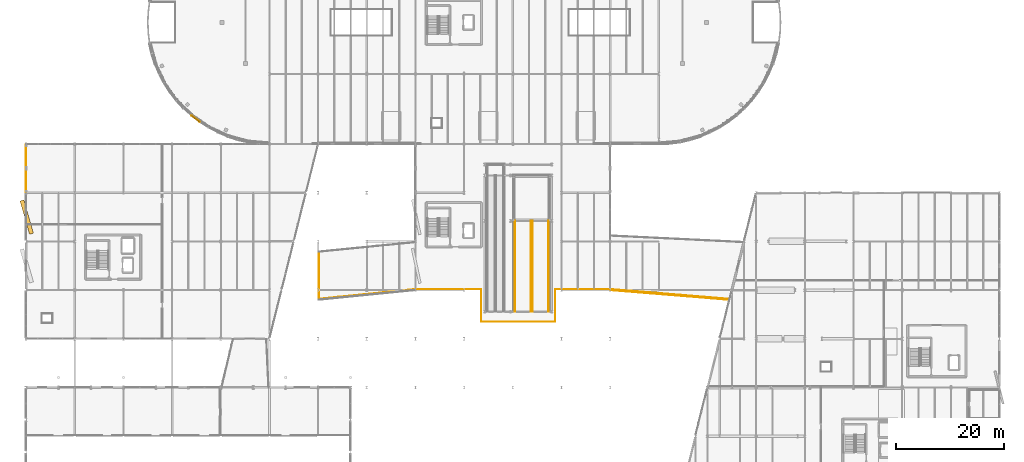
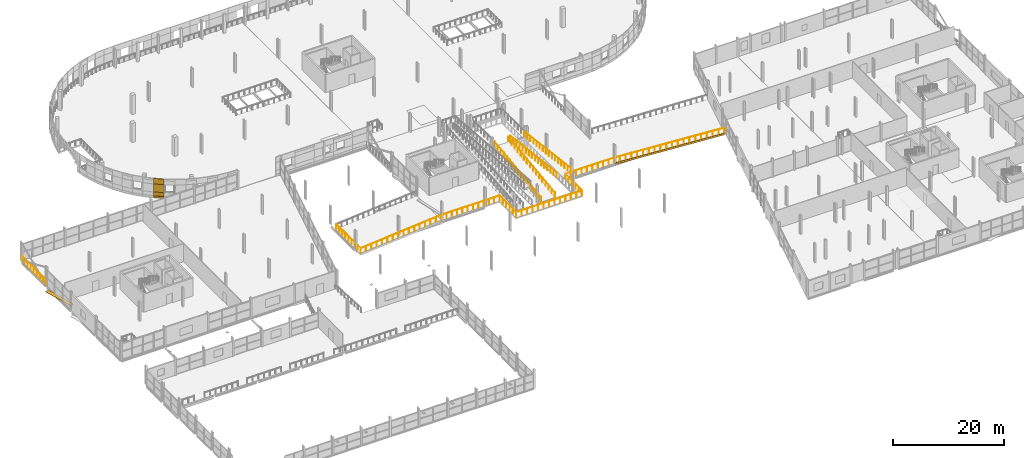
# One storey, part 121 of 135: 6 railings, 5 coverings, 1 shading device.
"""IFC4 building model written with IfcOpenShell, lengths in metres."""

import ifcopenshell
import ifcopenshell.guid

model = None  # the IFC model being written
_history = None  # IfcOwnerHistory: only IFC2X3 demands one
_inside = {}  # id of a spatial element -> (the spatial element, [elements in it])
_under = {}  # id of a project, library or spatial element -> (it, [spatial elements below it])
_declared = {}  # id of a project -> (the project, [libraries it declares])
_typed = {}  # id of a type object -> (the type object, [elements of that type])
_made_of = {}  # id of a material, layer set ... -> (it, [elements and type objects made of it])


def new_model(schema):
    """Start an empty IFC model of exactly this schema.

    Asked for "IFC4X3", IfcOpenShell would pick the latest addendum, in which some entities
    have other attributes; the version numbers below select the first issue.
    IFC2X3 requires an IfcOwnerHistory on every rooted entity: one is made here for all.
    """
    global model, _history
    if schema == "IFC4X3":
        model = ifcopenshell.file(schema_version=(4, 3, 0, 0))
    else:
        model = ifcopenshell.file(schema=schema)
    _inside.clear()
    _under.clear()
    _declared.clear()
    _typed.clear()
    _made_of.clear()
    _history = None
    if model.schema == "IFC2X3":
        org = make("IfcOrganization", Name="unknown")
        user = make(
            "IfcPersonAndOrganization",
            ThePerson=make("IfcPerson", FamilyName="unknown"),
            TheOrganization=org,
        )
        app = make(
            "IfcApplication",
            ApplicationDeveloper=org,
            Version="unknown",
            ApplicationFullName="unknown",
            ApplicationIdentifier="unknown",
        )
        _history = make(
            "IfcOwnerHistory",
            OwningUser=user,
            OwningApplication=app,
            ChangeAction="ADDED",
            CreationDate=0,
        )
    return model


def make(cls, **values):
    """One entity of the class cls with the attributes given. An attribute that is None is left unset."""
    return model.create_entity(
        cls, **{name: value for name, value in values.items() if value is not None}
    )


def rooted(cls, **values):
    """An entity with a GlobalId (a new one), such as an element, a storey or a relation."""
    return make(cls, GlobalId=ifcopenshell.guid.new(), OwnerHistory=_history, **values)


def si_unit(unit_type, name, prefix=None):
    """IfcSIUnit, for example si_unit("LENGTHUNIT", "METRE", prefix="MILLI")."""
    return make("IfcSIUnit", UnitType=unit_type, Prefix=prefix, Name=name)


def assignment(units):
    """IfcUnitAssignment: the units of a project."""
    return None if units is None else make("IfcUnitAssignment", Units=units)


def point(xyz):
    """IfcCartesianPoint."""
    return None if xyz is None else make("IfcCartesianPoint", Coordinates=xyz)


def direction(xyz):
    """IfcDirection."""
    return None if xyz is None else make("IfcDirection", DirectionRatios=xyz)


def frame(location, z_axis=None, x_axis=None):
    """IfcAxis2Placement3D, a coordinate frame: its origin and axes. An axis left out is left unset."""
    return make(
        "IfcAxis2Placement3D",
        Location=point(location),
        Axis=direction(z_axis),
        RefDirection=direction(x_axis),
    )


def frame_2d(location, x_axis=None):
    """IfcAxis2Placement2D, a coordinate frame in the plane: its origin and x axis."""
    return make(
        "IfcAxis2Placement2D", Location=point(location), RefDirection=direction(x_axis)
    )


def origin():
    """The frame at (0, 0, 0) with its axes left unset."""
    return frame((0.0, 0.0, 0.0))


def origin_2d():
    """The frame at (0, 0) in the plane with its x axis left unset."""
    return frame_2d((0.0, 0.0))


def place(relative_to, where):
    """IfcLocalPlacement: puts the frame where relative to a parent placement (None: the world)."""
    return make(
        "IfcLocalPlacement", PlacementRelTo=relative_to, RelativePlacement=where
    )


def context(
    kind, dimensions, precision=None, world=None, true_north=None, identifier=None
):
    """IfcGeometricRepresentationContext, for example the 3D "Model" context."""
    return make(
        "IfcGeometricRepresentationContext",
        ContextIdentifier=identifier,
        ContextType=kind,
        CoordinateSpaceDimension=dimensions,
        Precision=precision,
        WorldCoordinateSystem=world,
        TrueNorth=true_north,
    )


def subcontext(parent, identifier, kind, view, scale=None):
    """IfcGeometricRepresentationSubContext, for example "Body" below "Model"."""
    return make(
        "IfcGeometricRepresentationSubContext",
        ContextIdentifier=identifier,
        ContextType=kind,
        ParentContext=parent,
        TargetScale=scale,
        TargetView=view,
    )


def project(units=None, contexts=None):
    """IfcProject with its units and contexts."""
    return rooted(
        "IfcProject",
        Name="project",
        RepresentationContexts=contexts,
        UnitsInContext=assignment(units),
    )


def spatial(cls, under=None, at=None, **own):
    """A site, building, storey or space (cls), placed at a placement, below another one or the project."""
    s = rooted(cls, ObjectPlacement=at, **own)
    if under is not None:
        _under.setdefault(under.id(), (under, []))[1].append(s)
    return s


def profile(cls, at=None, kind="AREA", **sizes):
    """A parametric profile (cls). Its sizes go by their IFC names, for example OverallWidth=200.0."""
    return make(cls, ProfileType=kind, Position=at, **sizes)


def rectangle(**sizes):
    """IfcRectangleProfileDef."""
    return profile("IfcRectangleProfileDef", **sizes)


def circle(**sizes):
    """IfcCircleProfileDef."""
    return profile("IfcCircleProfileDef", **sizes)


def extrude(swept, where, along, depth):
    """IfcExtrudedAreaSolid: the profile swept, set in the frame where, extruded along a direction by depth."""
    return make(
        "IfcExtrudedAreaSolid",
        SweptArea=swept,
        Position=where,
        ExtrudedDirection=direction(along),
        Depth=depth,
    )


def shape(context_of_items, identifier, shape_type, items):
    """IfcShapeRepresentation: the items that make up one representation, for example the "Body"."""
    return make(
        "IfcShapeRepresentation",
        ContextOfItems=context_of_items,
        RepresentationIdentifier=identifier,
        RepresentationType=shape_type,
        Items=items,
    )


def material(Name=None, Category=None):
    """IfcMaterial."""
    return make("IfcMaterial", Name=Name, Category=Category)


def layer(
    of_material, thickness, ventilated=None, Name=None, Category=None, Priority=None
):
    """IfcMaterialLayer: one layer of a wall or slab, of a material (None: an air gap)."""
    return make(
        "IfcMaterialLayer",
        Material=of_material,
        LayerThickness=thickness,
        IsVentilated=ventilated,
        Name=Name,
        Category=Category,
        Priority=Priority,
    )


def layer_set(layers, Name=None):
    """IfcMaterialLayerSet."""
    return make("IfcMaterialLayerSet", MaterialLayers=layers, LayerSetName=Name)


def made_of(thing, what):
    """Note that an element or type object is made of a material, layer set ...; save() writes the relation."""
    if what is not None:
        _made_of.setdefault(what.id(), (what, []))[1].append(thing)
    return thing


def type_object(cls, material=None, **own):
    """A type object (cls), such as IfcWallType, which elements share."""
    return made_of(rooted(cls, **own), material)


def element(
    cls,
    number,
    at=None,
    inside=None,
    cuts=None,
    type_object=None,
    material=None,
    context=None,
    identifier="Body",
    shape_type=None,
    held_by="IfcProductDefinitionShape",
    body=None,
    shapes=None,
    **own,
):
    """One element of the class cls, such as IfcWall. Its Tag is "e" and its number.

    at: its placement. inside: the storey or other place that contains it. cuts: it is an
    opening in that element (IfcRelVoidsElement). A single representation is given by context,
    identifier, shape_type and body (its items); several are given by shapes. held_by: the class
    of the entity that holds the representations. save() writes the other relations.
    """
    e = rooted(cls, Tag="e%d" % number, ObjectPlacement=at, **own)
    if body is not None:
        shapes = [shape(context, identifier, shape_type, body)]
    if shapes is not None:
        e.Representation = make(held_by, Representations=shapes)
    if inside is not None:
        _inside.setdefault(inside.id(), (inside, []))[1].append(e)
    if cuts is not None:
        rooted(
            "IfcRelVoidsElement", RelatingBuildingElement=cuts, RelatedOpeningElement=e
        )
    if type_object is not None:
        _typed.setdefault(type_object.id(), (type_object, []))[1].append(e)
    return made_of(e, material)


def aggregate(whole, parts):
    """IfcRelAggregates: a whole, such as a stair, and the parts it consists of."""
    return rooted("IfcRelAggregates", RelatingObject=whole, RelatedObjects=parts)


def save(model, path):
    """Write the relations noted so far, then the file.

    IfcRelAggregates (storeys below a building ...), IfcRelContainedInSpatialStructure (elements
    in a storey), IfcRelDefinesByType, IfcRelAssociatesMaterial and IfcRelDeclares: one each for
    every whole, place, type object, material and project.
    """
    for whole, parts in _under.values():
        aggregate(whole, parts)
    for where, things in _inside.values():
        rooted(
            "IfcRelContainedInSpatialStructure",
            RelatedElements=things,
            RelatingStructure=where,
        )
    for kind, things in _typed.values():
        rooted("IfcRelDefinesByType", RelatedObjects=things, RelatingType=kind)
    for what, things in _made_of.values():
        rooted("IfcRelAssociatesMaterial", RelatedObjects=things, RelatingMaterial=what)
    for by, libraries in _declared.values():
        rooted("IfcRelDeclares", RelatingContext=by, RelatedDefinitions=libraries)
    model.write(path)


model = new_model("IFC4")

# Units and contexts
model_context = context("Model", 3, precision=1e-05, world=origin(), true_north=direction((0.0, 1.0)))
body_context = subcontext(model_context, "Body", "Model", "MODEL_VIEW")
ifc_project = project(units=[si_unit("LENGTHUNIT", "METRE"), si_unit("AREAUNIT", "SQUARE_METRE"), si_unit("VOLUMEUNIT", "CUBIC_METRE"), si_unit("PLANEANGLEUNIT", "RADIAN"), si_unit("MASSUNIT", "GRAM", prefix="KILO")], contexts=[model_context])

# Site, building, storey
site_placement = place(None, origin())
site = spatial("IfcSite", under=ifc_project, at=site_placement, CompositionType="ELEMENT")
building_placement = place(site_placement, origin())
building = spatial("IfcBuilding", under=site, at=building_placement, Name="Deido Ridge Mobility Hub", CompositionType="ELEMENT")
storey_placement = place(building_placement, frame((0.0, 0.0, 4.199951171875)))
storey = spatial("IfcBuildingStorey", under=building, at=storey_placement, Name="L01", CompositionType="ELEMENT", Elevation=4.199951171875)

# Coverings
ifc_material_1 = material(Name="Powder-coated aluminium cladding EN AW-3003", Category="aluminium")
ifc_layer_1 = layer(ifc_material_1, 0.06494140625, Name="Powder-coated aluminium cladding EN AW-3003")
ifc_layer_set_1 = layer_set([ifc_layer_1], Name="Powder-coated aluminium cladding EN AW-3003")
covering_type_1 = type_object("IfcCoveringType", Name="COV-ALU-CLAD-65", PredefinedType="CLADDING", material=ifc_layer_set_1)
covering_1_placement = place(storey_placement, frame((119.0, 53.10009765625, -0.329833984375), z_axis=(0.0, 0.0, 1.0), x_axis=(0.996680153102, -0.081416659306, 0.0)))
element("IfcCovering", 1, at=covering_1_placement, inside=storey, type_object=covering_type_1, Name="Skewed skybridge east fascia shard AC1", PredefinedType="CLADDING", context=body_context, shape_type="SweptSolid", body=[
    extrude(rectangle(XDim=21.800048828125, YDim=0.06494140625, at=origin_2d()), origin(), (0.0, 0.0, 1.0), 0.419921875),
])
ifc_material_2 = material(Name="Fired clay brick masonry", Category="masonry")
ifc_layer_2 = layer(ifc_material_2, 0.114990234375, Name="Fired clay brick masonry")
ifc_layer_set_2 = layer_set([ifc_layer_2], Name="Fired clay brick masonry")
covering_type_2 = type_object("IfcCoveringType", Name="COV-BRK-SCREEN-115", PredefinedType="CLADDING", material=ifc_layer_set_2)
covering_2_placement = place(storey_placement, frame((31.347900390625, 85.7080078125, 0.0), z_axis=(0.0, 0.0, 1.0), x_axis=(0.793353340291, -0.608761429009, 0.0)))
element("IfcCovering", 2, at=covering_2_placement, inside=storey, type_object=covering_type_2, Name="Open brickwork spandrel course BKS1 (L01)", PredefinedType="CLADDING", context=body_context, shape_type="SweptSolid", body=[
    extrude(rectangle(XDim=1.9619140625, YDim=0.125, at=origin_2d()), origin(), (0.0, 0.0, 1.0), 1.25),
])
covering_3_placement = place(storey_placement, frame((31.3310546875, 85.686279296875, 0.0), z_axis=(0.0, 0.0, 1.0), x_axis=(0.793353340291, -0.608761429009, 0.0)))
element("IfcCovering", 3, at=covering_3_placement, inside=storey, type_object=covering_type_2, Name="Raised brick relief belt BKS1 (L01)", PredefinedType="CLADDING", context=body_context, shape_type="SweptSolid", body=[
    extrude(rectangle(XDim=1.9619140625, YDim=0.179931640625, at=origin_2d()), origin(), (0.0, 0.0, 1.0), 0.39990234375),
])
covering_4_placement = place(storey_placement, frame((31.347900390625, 85.7080078125, 3.0), z_axis=(0.0, 0.0, 1.0), x_axis=(0.793353340291, -0.608761429009, 0.0)))
element("IfcCovering", 4, at=covering_4_placement, inside=storey, type_object=covering_type_2, Name="Open brickwork lintel course BKS1 (L01)", PredefinedType="CLADDING", context=body_context, shape_type="SweptSolid", body=[
    extrude(rectangle(XDim=1.9619140625, YDim=0.125, at=origin_2d()), origin(), (0.0, 0.0, 1.0), 1.199951171875),
])
covering_5_placement = place(storey_placement, frame((31.347900390625, 85.7080078125, 1.25), z_axis=(0.0, 0.0, 1.0), x_axis=(0.793353340291, -0.608761429009, 0.0)))
element("IfcCovering", 5, at=covering_5_placement, inside=storey, type_object=covering_type_2, Name="Curved raised brickwork pier BKS1 (L01)", PredefinedType="CLADDING", context=body_context, shape_type="SweptSolid", body=[
    extrude(rectangle(XDim=1.9619140625, YDim=0.125, at=origin_2d()), origin(), (0.0, 0.0, 1.0), 1.75),
])

# Railings
ifc_material_3 = material(Name="Galvanised steel work", Category="steel")
railing_type = type_object("IfcRailingType", Name="RL-GRD-EXT-1150", PredefinedType="GUARDRAIL", material=ifc_material_3)
railing_1_placement = place(storey_placement, frame((54.14990234375, 61.050048828125, 0.0)))
element("IfcRailing", 6, at=railing_1_placement, inside=storey, type_object=railing_type, Name="Skybridge skewed south edge guard GR1", PredefinedType="GUARDRAIL", context=body_context, shape_type="SweptSolid", body=[
    extrude(circle(Radius=0.02392578125, at=origin_2d()), frame((0.0, 0.0, 1.1259765625), z_axis=(0.0, -1.0, 0.0), x_axis=(1.0, 0.0, 0.0)), (0.0, 0.0, 1.0), 8.699951171875),
    extrude(circle(Radius=0.02392578125, at=origin_2d()), frame((0.0, -8.699951171875, 1.1259765625), z_axis=(0.994955205582, 0.100320181847, 0.0), x_axis=(-0.100320181847, 0.994955205582, 0.0)), (0.0, 0.0, 1.0), 17.940673828125),
    extrude(circle(Radius=0.02392578125, at=origin_2d()), frame((17.85009765625, -6.900146484375, 1.1259765625), z_axis=(1.0, 0.0, 0.0), x_axis=(0.0, 1.0, 0.0)), (0.0, 0.0, 1.0), 12.14990234375),
    extrude(circle(Radius=0.02392578125, at=origin_2d()), frame((30.0, -6.900146484375, 1.1259765625), z_axis=(0.0, -1.0, 0.0), x_axis=(1.0, 0.0, 0.0)), (0.0, 0.0, 1.0), 6.0),
    extrude(circle(Radius=0.02392578125, at=origin_2d()), frame((30.0, -12.900146484375, 1.1259765625), z_axis=(1.0, 0.0, 0.0), x_axis=(0.0, 1.0, 0.0)), (0.0, 0.0, 1.0), 13.7001953125),
    extrude(circle(Radius=0.02392578125, at=origin_2d()), frame((43.7001953125, -12.900146484375, 1.1259765625), z_axis=(0.0, 1.0, 0.0), x_axis=(-1.0, 0.0, 0.0)), (0.0, 0.0, 1.0), 6.0),
    extrude(circle(Radius=0.02392578125, at=origin_2d()), frame((43.7001953125, -6.900146484375, 1.1259765625), z_axis=(1.0, 0.0, 0.0), x_axis=(0.0, 1.0, 0.0)), (0.0, 0.0, 1.0), 10.14990234375),
    extrude(circle(Radius=0.02392578125, at=origin_2d()), frame((53.85009765625, -6.900146484375, 1.1259765625), z_axis=(0.996655197807, -0.08172158028, 0.0), x_axis=(0.08172158028, 0.996655197807, 0.0)), (0.0, 0.0, 1.0), 22.023681640625),
    extrude(circle(Radius=0.02099609375, at=origin_2d()), origin(), (0.0, 0.0, 1.0), 1.101806640625),
    extrude(circle(Radius=0.02099609375, at=origin_2d()), frame((0.0, -1.08740234375, 0.0)), (0.0, 0.0, 1.0), 1.101806640625),
    extrude(circle(Radius=0.02099609375, at=origin_2d()), frame((0.0, -2.175048828125, 0.0)), (0.0, 0.0, 1.0), 1.101806640625),
    extrude(circle(Radius=0.02099609375, at=origin_2d()), frame((0.0, -3.262451171875, 0.0)), (0.0, 0.0, 1.0), 1.101806640625),
    extrude(circle(Radius=0.02099609375, at=origin_2d()), frame((0.0, -4.35009765625, 0.0)), (0.0, 0.0, 1.0), 1.101806640625),
    extrude(circle(Radius=0.02099609375, at=origin_2d()), frame((0.0, -5.4375, 0.0)), (0.0, 0.0, 1.0), 1.101806640625),
    extrude(circle(Radius=0.02099609375, at=origin_2d()), frame((0.0, -6.52490234375, 0.0)), (0.0, 0.0, 1.0), 1.101806640625),
    extrude(circle(Radius=0.02099609375, at=origin_2d()), frame((0.0, -7.612548828125, 0.0)), (0.0, 0.0, 1.0), 1.101806640625),
    extrude(circle(Radius=0.02099609375, at=origin_2d()), frame((0.0, -8.699951171875, 0.0)), (0.0, 0.0, 1.0), 1.101806640625),
    extrude(circle(Radius=0.02099609375, at=origin_2d()), frame((1.18994140625, -8.580078125, 0.0)), (0.0, 0.0, 1.0), 1.101806640625),
    extrude(circle(Radius=0.02099609375, at=origin_2d()), frame((2.380126953125, -8.4599609375, 0.0)), (0.0, 0.0, 1.0), 1.101806640625),
    extrude(circle(Radius=0.02099609375, at=origin_2d()), frame((3.570068359375, -8.340087890625, 0.0)), (0.0, 0.0, 1.0), 1.101806640625),
    extrude(circle(Radius=0.02099609375, at=origin_2d()), frame((4.760009765625, -8.219970703125, 0.0)), (0.0, 0.0, 1.0), 1.101806640625),
    extrude(circle(Radius=0.02099609375, at=origin_2d()), frame((5.949951171875, -8.10009765625, 0.0)), (0.0, 0.0, 1.0), 1.101806640625),
    extrude(circle(Radius=0.02099609375, at=origin_2d()), frame((7.14013671875, -7.97998046875, 0.0)), (0.0, 0.0, 1.0), 1.101806640625),
    extrude(circle(Radius=0.02099609375, at=origin_2d()), frame((8.330078125, -7.860107421875, 0.0)), (0.0, 0.0, 1.0), 1.101806640625),
    extrude(circle(Radius=0.02099609375, at=origin_2d()), frame((9.52001953125, -7.739990234375, 0.0)), (0.0, 0.0, 1.0), 1.101806640625),
    extrude(circle(Radius=0.02099609375, at=origin_2d()), frame((10.7099609375, -7.6201171875, 0.0)), (0.0, 0.0, 1.0), 1.101806640625),
    extrude(circle(Radius=0.02099609375, at=origin_2d()), frame((11.900146484375, -7.5, 0.0)), (0.0, 0.0, 1.0), 1.101806640625),
    extrude(circle(Radius=0.02099609375, at=origin_2d()), frame((13.090087890625, -7.380126953125, 0.0)), (0.0, 0.0, 1.0), 1.101806640625),
    extrude(circle(Radius=0.02099609375, at=origin_2d()), frame((14.280029296875, -7.260009765625, 0.0)), (0.0, 0.0, 1.0), 1.101806640625),
    extrude(circle(Radius=0.02099609375, at=origin_2d()), frame((15.469970703125, -7.14013671875, 0.0)), (0.0, 0.0, 1.0), 1.101806640625),
    extrude(circle(Radius=0.02099609375, at=origin_2d()), frame((16.66015625, -7.02001953125, 0.0)), (0.0, 0.0, 1.0), 1.101806640625),
    extrude(circle(Radius=0.02099609375, at=origin_2d()), frame((17.85009765625, -6.900146484375, 0.0)), (0.0, 0.0, 1.0), 1.101806640625),
    extrude(circle(Radius=0.02099609375, at=origin_2d()), frame((18.95458984375, -6.900146484375, 0.0)), (0.0, 0.0, 1.0), 1.101806640625),
    extrude(circle(Radius=0.02099609375, at=origin_2d()), frame((20.05908203125, -6.900146484375, 0.0)), (0.0, 0.0, 1.0), 1.101806640625),
    extrude(circle(Radius=0.02099609375, at=origin_2d()), frame((21.163818359375, -6.900146484375, 0.0)), (0.0, 0.0, 1.0), 1.101806640625),
    extrude(circle(Radius=0.02099609375, at=origin_2d()), frame((22.268310546875, -6.900146484375, 0.0)), (0.0, 0.0, 1.0), 1.101806640625),
    extrude(circle(Radius=0.02099609375, at=origin_2d()), frame((23.372802734375, -6.900146484375, 0.0)), (0.0, 0.0, 1.0), 1.101806640625),
    extrude(circle(Radius=0.02099609375, at=origin_2d()), frame((24.477294921875, -6.900146484375, 0.0)), (0.0, 0.0, 1.0), 1.101806640625),
    extrude(circle(Radius=0.02099609375, at=origin_2d()), frame((25.581787109375, -6.900146484375, 0.0)), (0.0, 0.0, 1.0), 1.101806640625),
    extrude(circle(Radius=0.02099609375, at=origin_2d()), frame((26.686279296875, -6.900146484375, 0.0)), (0.0, 0.0, 1.0), 1.101806640625),
    extrude(circle(Radius=0.02099609375, at=origin_2d()), frame((27.791015625, -6.900146484375, 0.0)), (0.0, 0.0, 1.0), 1.101806640625),
    extrude(circle(Radius=0.02099609375, at=origin_2d()), frame((28.8955078125, -6.900146484375, 0.0)), (0.0, 0.0, 1.0), 1.101806640625),
    extrude(circle(Radius=0.02099609375, at=origin_2d()), frame((30.0, -6.900146484375, 0.0)), (0.0, 0.0, 1.0), 1.101806640625),
    extrude(circle(Radius=0.02099609375, at=origin_2d()), frame((30.0, -8.10009765625, 0.0)), (0.0, 0.0, 1.0), 1.101806640625),
    extrude(circle(Radius=0.02099609375, at=origin_2d()), frame((30.0, -9.300048828125, 0.0)), (0.0, 0.0, 1.0), 1.101806640625),
    extrude(circle(Radius=0.02099609375, at=origin_2d()), frame((30.0, -10.500244140625, 0.0)), (0.0, 0.0, 1.0), 1.101806640625),
    extrude(circle(Radius=0.02099609375, at=origin_2d()), frame((30.0, -11.7001953125, 0.0)), (0.0, 0.0, 1.0), 1.101806640625),
    extrude(circle(Radius=0.02099609375, at=origin_2d()), frame((30.0, -12.900146484375, 0.0)), (0.0, 0.0, 1.0), 1.101806640625),
    extrude(circle(Radius=0.02099609375, at=origin_2d()), frame((31.1416015625, -12.900146484375, 0.0)), (0.0, 0.0, 1.0), 1.101806640625),
    extrude(circle(Radius=0.02099609375, at=origin_2d()), frame((32.283447265625, -12.900146484375, 0.0)), (0.0, 0.0, 1.0), 1.101806640625),
    extrude(circle(Radius=0.02099609375, at=origin_2d()), frame((33.425048828125, -12.900146484375, 0.0)), (0.0, 0.0, 1.0), 1.101806640625),
    extrude(circle(Radius=0.02099609375, at=origin_2d()), frame((34.566650390625, -12.900146484375, 0.0)), (0.0, 0.0, 1.0), 1.101806640625),
    extrude(circle(Radius=0.02099609375, at=origin_2d()), frame((35.70849609375, -12.900146484375, 0.0)), (0.0, 0.0, 1.0), 1.101806640625),
    extrude(circle(Radius=0.02099609375, at=origin_2d()), frame((36.85009765625, -12.900146484375, 0.0)), (0.0, 0.0, 1.0), 1.101806640625),
    extrude(circle(Radius=0.02099609375, at=origin_2d()), frame((37.99169921875, -12.900146484375, 0.0)), (0.0, 0.0, 1.0), 1.101806640625),
    extrude(circle(Radius=0.02099609375, at=origin_2d()), frame((39.133544921875, -12.900146484375, 0.0)), (0.0, 0.0, 1.0), 1.101806640625),
    extrude(circle(Radius=0.02099609375, at=origin_2d()), frame((40.275146484375, -12.900146484375, 0.0)), (0.0, 0.0, 1.0), 1.101806640625),
    extrude(circle(Radius=0.02099609375, at=origin_2d()), frame((41.416748046875, -12.900146484375, 0.0)), (0.0, 0.0, 1.0), 1.101806640625),
    extrude(circle(Radius=0.02099609375, at=origin_2d()), frame((42.55859375, -12.900146484375, 0.0)), (0.0, 0.0, 1.0), 1.101806640625),
    extrude(circle(Radius=0.02099609375, at=origin_2d()), frame((43.7001953125, -12.900146484375, 0.0)), (0.0, 0.0, 1.0), 1.101806640625),
    extrude(circle(Radius=0.02099609375, at=origin_2d()), frame((43.7001953125, -11.7001953125, 0.0)), (0.0, 0.0, 1.0), 1.101806640625),
    extrude(circle(Radius=0.02099609375, at=origin_2d()), frame((43.7001953125, -10.500244140625, 0.0)), (0.0, 0.0, 1.0), 1.101806640625),
    extrude(circle(Radius=0.02099609375, at=origin_2d()), frame((43.7001953125, -9.300048828125, 0.0)), (0.0, 0.0, 1.0), 1.101806640625),
    extrude(circle(Radius=0.02099609375, at=origin_2d()), frame((43.7001953125, -8.10009765625, 0.0)), (0.0, 0.0, 1.0), 1.101806640625),
    extrude(circle(Radius=0.02099609375, at=origin_2d()), frame((43.7001953125, -6.900146484375, 0.0)), (0.0, 0.0, 1.0), 1.101806640625),
    extrude(circle(Radius=0.02099609375, at=origin_2d()), frame((44.827880859375, -6.900146484375, 0.0)), (0.0, 0.0, 1.0), 1.101806640625),
    extrude(circle(Radius=0.02099609375, at=origin_2d()), frame((45.955810546875, -6.900146484375, 0.0)), (0.0, 0.0, 1.0), 1.101806640625),
    extrude(circle(Radius=0.02099609375, at=origin_2d()), frame((47.08349609375, -6.900146484375, 0.0)), (0.0, 0.0, 1.0), 1.101806640625),
    extrude(circle(Radius=0.02099609375, at=origin_2d()), frame((48.211181640625, -6.900146484375, 0.0)), (0.0, 0.0, 1.0), 1.101806640625),
    extrude(circle(Radius=0.02099609375, at=origin_2d()), frame((49.339111328125, -6.900146484375, 0.0)), (0.0, 0.0, 1.0), 1.101806640625),
    extrude(circle(Radius=0.02099609375, at=origin_2d()), frame((50.466796875, -6.900146484375, 0.0)), (0.0, 0.0, 1.0), 1.101806640625),
    extrude(circle(Radius=0.02099609375, at=origin_2d()), frame((51.594482421875, -6.900146484375, 0.0)), (0.0, 0.0, 1.0), 1.101806640625),
    extrude(circle(Radius=0.02099609375, at=origin_2d()), frame((52.722412109375, -6.900146484375, 0.0)), (0.0, 0.0, 1.0), 1.101806640625),
    extrude(circle(Radius=0.02099609375, at=origin_2d()), frame((53.85009765625, -6.900146484375, 0.0)), (0.0, 0.0, 1.0), 1.101806640625),
    extrude(circle(Radius=0.02099609375, at=origin_2d()), frame((55.00537109375, -6.994873046875, 0.0)), (0.0, 0.0, 1.0), 1.101806640625),
    extrude(circle(Radius=0.02099609375, at=origin_2d()), frame((56.16064453125, -7.089599609375, 0.0)), (0.0, 0.0, 1.0), 1.101806640625),
    extrude(circle(Radius=0.02099609375, at=origin_2d()), frame((57.31591796875, -7.184326171875, 0.0)), (0.0, 0.0, 1.0), 1.101806640625),
    extrude(circle(Radius=0.02099609375, at=origin_2d()), frame((58.47119140625, -7.279052734375, 0.0)), (0.0, 0.0, 1.0), 1.101806640625),
    extrude(circle(Radius=0.02099609375, at=origin_2d()), frame((59.62646484375, -7.373779296875, 0.0)), (0.0, 0.0, 1.0), 1.101806640625),
    extrude(circle(Radius=0.02099609375, at=origin_2d()), frame((60.78173828125, -7.468505859375, 0.0)), (0.0, 0.0, 1.0), 1.101806640625),
    extrude(circle(Radius=0.02099609375, at=origin_2d()), frame((61.93701171875, -7.563232421875, 0.0)), (0.0, 0.0, 1.0), 1.101806640625),
    extrude(circle(Radius=0.02099609375, at=origin_2d()), frame((63.09228515625, -7.657958984375, 0.0)), (0.0, 0.0, 1.0), 1.101806640625),
    extrude(circle(Radius=0.02099609375, at=origin_2d()), frame((64.24755859375, -7.752685546875, 0.0)), (0.0, 0.0, 1.0), 1.101806640625),
    extrude(circle(Radius=0.02099609375, at=origin_2d()), frame((65.402587890625, -7.847412109375, 0.0)), (0.0, 0.0, 1.0), 1.101806640625),
    extrude(circle(Radius=0.02099609375, at=origin_2d()), frame((66.557861328125, -7.942138671875, 0.0)), (0.0, 0.0, 1.0), 1.101806640625),
    extrude(circle(Radius=0.02099609375, at=origin_2d()), frame((67.713134765625, -8.036865234375, 0.0)), (0.0, 0.0, 1.0), 1.101806640625),
    extrude(circle(Radius=0.02099609375, at=origin_2d()), frame((68.868408203125, -8.131591796875, 0.0)), (0.0, 0.0, 1.0), 1.101806640625),
    extrude(circle(Radius=0.02099609375, at=origin_2d()), frame((70.023681640625, -8.226318359375, 0.0)), (0.0, 0.0, 1.0), 1.101806640625),
    extrude(circle(Radius=0.02099609375, at=origin_2d()), frame((71.178955078125, -8.321044921875, 0.0)), (0.0, 0.0, 1.0), 1.101806640625),
    extrude(circle(Radius=0.02099609375, at=origin_2d()), frame((72.334228515625, -8.415771484375, 0.0)), (0.0, 0.0, 1.0), 1.101806640625),
    extrude(circle(Radius=0.02099609375, at=origin_2d()), frame((73.489501953125, -8.510498046875, 0.0)), (0.0, 0.0, 1.0), 1.101806640625),
    extrude(circle(Radius=0.02099609375, at=origin_2d()), frame((74.644775390625, -8.605224609375, 0.0)), (0.0, 0.0, 1.0), 1.101806640625),
    extrude(circle(Radius=0.02099609375, at=origin_2d()), frame((75.800048828125, -8.699951171875, 0.0)), (0.0, 0.0, 1.0), 1.101806640625),
])
railing_2_placement = place(storey_placement, frame((0.0, 72.14990234375, 0.0)))
element("IfcRailing", 7, at=railing_2_placement, inside=storey, type_object=railing_type, Name="Braced bay perimeter guard (L01)", PredefinedType="GUARDRAIL", context=body_context, shape_type="SweptSolid", body=[
    extrude(circle(Radius=0.02392578125, at=origin_2d()), frame((0.0, 0.0, 1.1259765625), z_axis=(0.0, 1.0, 0.0), x_axis=(-1.0, 0.0, 0.0)), (0.0, 0.0, 1.0), 8.7001953125),
    extrude(circle(Radius=0.02099609375, at=origin_2d()), origin(), (0.0, 0.0, 1.0), 1.101806640625),
    extrude(circle(Radius=0.02099609375, at=origin_2d()), frame((0.0, 1.08740234375, 0.0)), (0.0, 0.0, 1.0), 1.101806640625),
    extrude(circle(Radius=0.02099609375, at=origin_2d()), frame((0.0, 2.175048828125, 0.0)), (0.0, 0.0, 1.0), 1.101806640625),
    extrude(circle(Radius=0.02099609375, at=origin_2d()), frame((0.0, 3.2626953125, 0.0)), (0.0, 0.0, 1.0), 1.101806640625),
    extrude(circle(Radius=0.02099609375, at=origin_2d()), frame((0.0, 4.35009765625, 0.0)), (0.0, 0.0, 1.0), 1.101806640625),
    extrude(circle(Radius=0.02099609375, at=origin_2d()), frame((0.0, 5.4375, 0.0)), (0.0, 0.0, 1.0), 1.101806640625),
    extrude(circle(Radius=0.02099609375, at=origin_2d()), frame((0.0, 6.525146484375, 0.0)), (0.0, 0.0, 1.0), 1.101806640625),
    extrude(circle(Radius=0.02099609375, at=origin_2d()), frame((0.0, 7.61279296875, 0.0)), (0.0, 0.0, 1.0), 1.101806640625),
    extrude(circle(Radius=0.02099609375, at=origin_2d()), frame((0.0, 8.7001953125, 0.0)), (0.0, 0.0, 1.0), 1.101806640625),
])
railing_3_placement = place(storey_placement, frame((90.39990234375, 50.050048828125, 0.0)))
element("IfcRailing", 8, at=railing_3_placement, inside=storey, type_object=railing_type, Name="Vehicle ramp F1 guard (L01)", PredefinedType="GUARDRAIL", context=body_context, shape_type="SweptSolid", body=[
    extrude(circle(Radius=0.02392578125, at=origin_2d()), frame((0.0, 0.0, 1.1259765625), z_axis=(0.0, 0.992231528187, 0.1244049616), x_axis=(-1.0, 0.0, 0.0)), (0.0, 0.0, 1.0), 16.881103515625),
    extrude(circle(Radius=0.02099609375, at=origin_2d()), origin(), (0.0, 0.0, 1.0), 1.101806640625),
    extrude(circle(Radius=0.02099609375, at=origin_2d()), frame((0.0, 1.11669921875, 0.139892578125)), (0.0, 0.0, 1.0), 1.101806640625),
    extrude(circle(Radius=0.02099609375, at=origin_2d()), frame((0.0, 2.2333984375, 0.280029296875)), (0.0, 0.0, 1.0), 1.101806640625),
    extrude(circle(Radius=0.02099609375, at=origin_2d()), frame((0.0, 3.35009765625, 0.419921875)), (0.0, 0.0, 1.0), 1.101806640625),
    extrude(circle(Radius=0.02099609375, at=origin_2d()), frame((0.0, 4.466552734375, 0.56005859375)), (0.0, 0.0, 1.0), 1.101806640625),
    extrude(circle(Radius=0.02099609375, at=origin_2d()), frame((0.0, 5.583251953125, 0.699951171875)), (0.0, 0.0, 1.0), 1.101806640625),
    extrude(circle(Radius=0.02099609375, at=origin_2d()), frame((0.0, 6.699951171875, 0.840087890625)), (0.0, 0.0, 1.0), 1.101806640625),
    extrude(circle(Radius=0.02099609375, at=origin_2d()), frame((0.0, 7.816650390625, 0.97998046875)), (0.0, 0.0, 1.0), 1.101806640625),
    extrude(circle(Radius=0.02099609375, at=origin_2d()), frame((0.0, 8.933349609375, 1.1201171875)), (0.0, 0.0, 1.0), 1.101806640625),
    extrude(circle(Radius=0.02099609375, at=origin_2d()), frame((0.0, 10.050048828125, 1.260009765625)), (0.0, 0.0, 1.0), 1.101806640625),
    extrude(circle(Radius=0.02099609375, at=origin_2d()), frame((0.0, 11.166748046875, 1.400146484375)), (0.0, 0.0, 1.0), 1.101806640625),
    extrude(circle(Radius=0.02099609375, at=origin_2d()), frame((0.0, 12.283447265625, 1.5400390625)), (0.0, 0.0, 1.0), 1.101806640625),
    extrude(circle(Radius=0.02099609375, at=origin_2d()), frame((0.0, 13.39990234375, 1.68017578125)), (0.0, 0.0, 1.0), 1.101806640625),
    extrude(circle(Radius=0.02099609375, at=origin_2d()), frame((0.0, 14.5166015625, 1.820068359375)), (0.0, 0.0, 1.0), 1.101806640625),
    extrude(circle(Radius=0.02099609375, at=origin_2d()), frame((0.0, 15.63330078125, 1.960205078125)), (0.0, 0.0, 1.0), 1.101806640625),
    extrude(circle(Radius=0.02099609375, at=origin_2d()), frame((0.0, 16.75, 2.10009765625)), (0.0, 0.0, 1.0), 1.101806640625),
])
railing_4_placement = place(storey_placement, frame((93.300048828125, 50.050048828125, 0.0)))
element("IfcRailing", 9, at=railing_4_placement, inside=storey, type_object=railing_type, Name="Vehicle ramp F1 guard (L01)", PredefinedType="GUARDRAIL", context=body_context, shape_type="SweptSolid", body=[
    extrude(circle(Radius=0.02392578125, at=origin_2d()), frame((0.0, 0.0, 1.1259765625), z_axis=(0.0, 0.992231528187, 0.1244049616), x_axis=(-1.0, 0.0, 0.0)), (0.0, 0.0, 1.0), 16.881103515625),
    extrude(circle(Radius=0.02099609375, at=origin_2d()), origin(), (0.0, 0.0, 1.0), 1.101806640625),
    extrude(circle(Radius=0.02099609375, at=origin_2d()), frame((0.0, 1.11669921875, 0.139892578125)), (0.0, 0.0, 1.0), 1.101806640625),
    extrude(circle(Radius=0.02099609375, at=origin_2d()), frame((0.0, 2.2333984375, 0.280029296875)), (0.0, 0.0, 1.0), 1.101806640625),
    extrude(circle(Radius=0.02099609375, at=origin_2d()), frame((0.0, 3.35009765625, 0.419921875)), (0.0, 0.0, 1.0), 1.101806640625),
    extrude(circle(Radius=0.02099609375, at=origin_2d()), frame((0.0, 4.466552734375, 0.56005859375)), (0.0, 0.0, 1.0), 1.101806640625),
    extrude(circle(Radius=0.02099609375, at=origin_2d()), frame((0.0, 5.583251953125, 0.699951171875)), (0.0, 0.0, 1.0), 1.101806640625),
    extrude(circle(Radius=0.02099609375, at=origin_2d()), frame((0.0, 6.699951171875, 0.840087890625)), (0.0, 0.0, 1.0), 1.101806640625),
    extrude(circle(Radius=0.02099609375, at=origin_2d()), frame((0.0, 7.816650390625, 0.97998046875)), (0.0, 0.0, 1.0), 1.101806640625),
    extrude(circle(Radius=0.02099609375, at=origin_2d()), frame((0.0, 8.933349609375, 1.1201171875)), (0.0, 0.0, 1.0), 1.101806640625),
    extrude(circle(Radius=0.02099609375, at=origin_2d()), frame((0.0, 10.050048828125, 1.260009765625)), (0.0, 0.0, 1.0), 1.101806640625),
    extrude(circle(Radius=0.02099609375, at=origin_2d()), frame((0.0, 11.166748046875, 1.400146484375)), (0.0, 0.0, 1.0), 1.101806640625),
    extrude(circle(Radius=0.02099609375, at=origin_2d()), frame((0.0, 12.283447265625, 1.5400390625)), (0.0, 0.0, 1.0), 1.101806640625),
    extrude(circle(Radius=0.02099609375, at=origin_2d()), frame((0.0, 13.39990234375, 1.68017578125)), (0.0, 0.0, 1.0), 1.101806640625),
    extrude(circle(Radius=0.02099609375, at=origin_2d()), frame((0.0, 14.5166015625, 1.820068359375)), (0.0, 0.0, 1.0), 1.101806640625),
    extrude(circle(Radius=0.02099609375, at=origin_2d()), frame((0.0, 15.63330078125, 1.960205078125)), (0.0, 0.0, 1.0), 1.101806640625),
    extrude(circle(Radius=0.02099609375, at=origin_2d()), frame((0.0, 16.75, 2.10009765625)), (0.0, 0.0, 1.0), 1.101806640625),
])
railing_5_placement = place(storey_placement, frame((93.699951171875, 66.800048828125, 2.10009765625)))
element("IfcRailing", 10, at=railing_5_placement, inside=storey, type_object=railing_type, Name="Vehicle ramp F2 guard (L01)", PredefinedType="GUARDRAIL", context=body_context, shape_type="SweptSolid", body=[
    extrude(circle(Radius=0.02392578125, at=origin_2d()), frame((0.0, 0.0, 1.1259765625), z_axis=(0.0, -0.992233313297, 0.12439072306), x_axis=(1.0, 0.0, 0.0)), (0.0, 0.0, 1.0), 16.881103515625),
    extrude(circle(Radius=0.02099609375, at=origin_2d()), origin(), (0.0, 0.0, 1.0), 1.101806640625),
    extrude(circle(Radius=0.02099609375, at=origin_2d()), frame((0.0, -1.11669921875, 0.139892578125)), (0.0, 0.0, 1.0), 1.101806640625),
    extrude(circle(Radius=0.02099609375, at=origin_2d()), frame((0.0, -2.2333984375, 0.280029296875)), (0.0, 0.0, 1.0), 1.101806640625),
    extrude(circle(Radius=0.02099609375, at=origin_2d()), frame((0.0, -3.35009765625, 0.419921875)), (0.0, 0.0, 1.0), 1.101806640625),
    extrude(circle(Radius=0.02099609375, at=origin_2d()), frame((0.0, -4.466552734375, 0.56005859375)), (0.0, 0.0, 1.0), 1.101806640625),
    extrude(circle(Radius=0.02099609375, at=origin_2d()), frame((0.0, -5.583251953125, 0.699951171875)), (0.0, 0.0, 1.0), 1.101806640625),
    extrude(circle(Radius=0.02099609375, at=origin_2d()), frame((0.0, -6.699951171875, 0.83984375)), (0.0, 0.0, 1.0), 1.101806640625),
    extrude(circle(Radius=0.02099609375, at=origin_2d()), frame((0.0, -7.816650390625, 0.97998046875)), (0.0, 0.0, 1.0), 1.101806640625),
    extrude(circle(Radius=0.02099609375, at=origin_2d()), frame((0.0, -8.933349609375, 1.119873046875)), (0.0, 0.0, 1.0), 1.101806640625),
    extrude(circle(Radius=0.02099609375, at=origin_2d()), frame((0.0, -10.050048828125, 1.260009765625)), (0.0, 0.0, 1.0), 1.101806640625),
    extrude(circle(Radius=0.02099609375, at=origin_2d()), frame((0.0, -11.166748046875, 1.39990234375)), (0.0, 0.0, 1.0), 1.101806640625),
    extrude(circle(Radius=0.02099609375, at=origin_2d()), frame((0.0, -12.283447265625, 1.539794921875)), (0.0, 0.0, 1.0), 1.101806640625),
    extrude(circle(Radius=0.02099609375, at=origin_2d()), frame((0.0, -13.39990234375, 1.679931640625)), (0.0, 0.0, 1.0), 1.101806640625),
    extrude(circle(Radius=0.02099609375, at=origin_2d()), frame((0.0, -14.5166015625, 1.81982421875)), (0.0, 0.0, 1.0), 1.101806640625),
    extrude(circle(Radius=0.02099609375, at=origin_2d()), frame((0.0, -15.63330078125, 1.9599609375)), (0.0, 0.0, 1.0), 1.101806640625),
    extrude(circle(Radius=0.02099609375, at=origin_2d()), frame((0.0, -16.75, 2.099853515625)), (0.0, 0.0, 1.0), 1.101806640625),
])
railing_6_placement = place(storey_placement, frame((96.60009765625, 66.800048828125, 2.10009765625)))
element("IfcRailing", 11, at=railing_6_placement, inside=storey, type_object=railing_type, Name="Vehicle ramp F2 guard (L01)", PredefinedType="GUARDRAIL", context=body_context, shape_type="SweptSolid", body=[
    extrude(circle(Radius=0.02392578125, at=origin_2d()), frame((0.0, 0.0, 1.1259765625), z_axis=(0.0, -0.992233313297, 0.12439072306), x_axis=(1.0, 0.0, 0.0)), (0.0, 0.0, 1.0), 16.881103515625),
    extrude(circle(Radius=0.02099609375, at=origin_2d()), origin(), (0.0, 0.0, 1.0), 1.101806640625),
    extrude(circle(Radius=0.02099609375, at=origin_2d()), frame((0.0, -1.11669921875, 0.139892578125)), (0.0, 0.0, 1.0), 1.101806640625),
    extrude(circle(Radius=0.02099609375, at=origin_2d()), frame((0.0, -2.2333984375, 0.280029296875)), (0.0, 0.0, 1.0), 1.101806640625),
    extrude(circle(Radius=0.02099609375, at=origin_2d()), frame((0.0, -3.35009765625, 0.419921875)), (0.0, 0.0, 1.0), 1.101806640625),
    extrude(circle(Radius=0.02099609375, at=origin_2d()), frame((0.0, -4.466552734375, 0.56005859375)), (0.0, 0.0, 1.0), 1.101806640625),
    extrude(circle(Radius=0.02099609375, at=origin_2d()), frame((0.0, -5.583251953125, 0.699951171875)), (0.0, 0.0, 1.0), 1.101806640625),
    extrude(circle(Radius=0.02099609375, at=origin_2d()), frame((0.0, -6.699951171875, 0.83984375)), (0.0, 0.0, 1.0), 1.101806640625),
    extrude(circle(Radius=0.02099609375, at=origin_2d()), frame((0.0, -7.816650390625, 0.97998046875)), (0.0, 0.0, 1.0), 1.101806640625),
    extrude(circle(Radius=0.02099609375, at=origin_2d()), frame((0.0, -8.933349609375, 1.119873046875)), (0.0, 0.0, 1.0), 1.101806640625),
    extrude(circle(Radius=0.02099609375, at=origin_2d()), frame((0.0, -10.050048828125, 1.260009765625)), (0.0, 0.0, 1.0), 1.101806640625),
    extrude(circle(Radius=0.02099609375, at=origin_2d()), frame((0.0, -11.166748046875, 1.39990234375)), (0.0, 0.0, 1.0), 1.101806640625),
    extrude(circle(Radius=0.02099609375, at=origin_2d()), frame((0.0, -12.283447265625, 1.539794921875)), (0.0, 0.0, 1.0), 1.101806640625),
    extrude(circle(Radius=0.02099609375, at=origin_2d()), frame((0.0, -13.39990234375, 1.679931640625)), (0.0, 0.0, 1.0), 1.101806640625),
    extrude(circle(Radius=0.02099609375, at=origin_2d()), frame((0.0, -14.5166015625, 1.81982421875)), (0.0, 0.0, 1.0), 1.101806640625),
    extrude(circle(Radius=0.02099609375, at=origin_2d()), frame((0.0, -15.63330078125, 1.9599609375)), (0.0, 0.0, 1.0), 1.101806640625),
    extrude(circle(Radius=0.02099609375, at=origin_2d()), frame((0.0, -16.75, 2.099853515625)), (0.0, 0.0, 1.0), 1.101806640625),
])

# Shading device
ifc_layer_3 = layer(ifc_material_1, 0.06005859375, Name="Powder-coated aluminium cladding EN AW-3003")
ifc_layer_set_3 = layer_set([ifc_layer_3], Name="Powder-coated aluminium cladding EN AW-3003")
shading_device_type = type_object("IfcShadingDeviceType", Name="SHD-SUNSHADE-750", PredefinedType="USERDEFINED", material=ifc_layer_set_3)
shading_device_placement = place(storey_placement, frame((0.1201171875, 67.5, -0.1298828125), z_axis=(0.0, 0.0, 1.0), x_axis=(-0.275637355817, 0.961261695938, 0.0)))
element("IfcShadingDevice", 12, at=shading_device_placement, inside=storey, type_object=shading_device_type, Name="Bicycle hall angled brise-soleil SD2", ObjectType="SUNSHADE", PredefinedType="USERDEFINED", context=body_context, shape_type="SweptSolid", body=[
    extrude(rectangle(XDim=6.39990234375, YDim=0.75, at=origin_2d()), origin(), (0.0, 0.0, 1.0), 0.06005859375),
])

save(model, "model.ifc")
